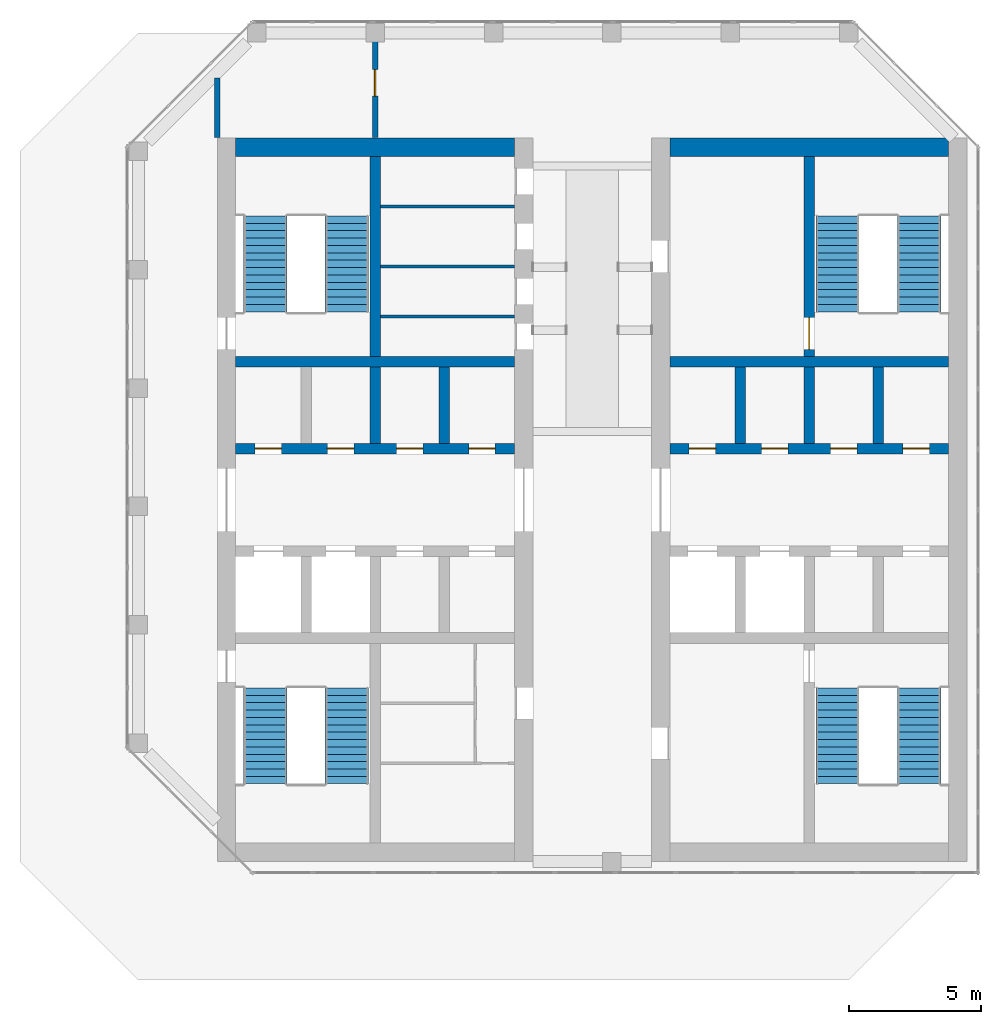
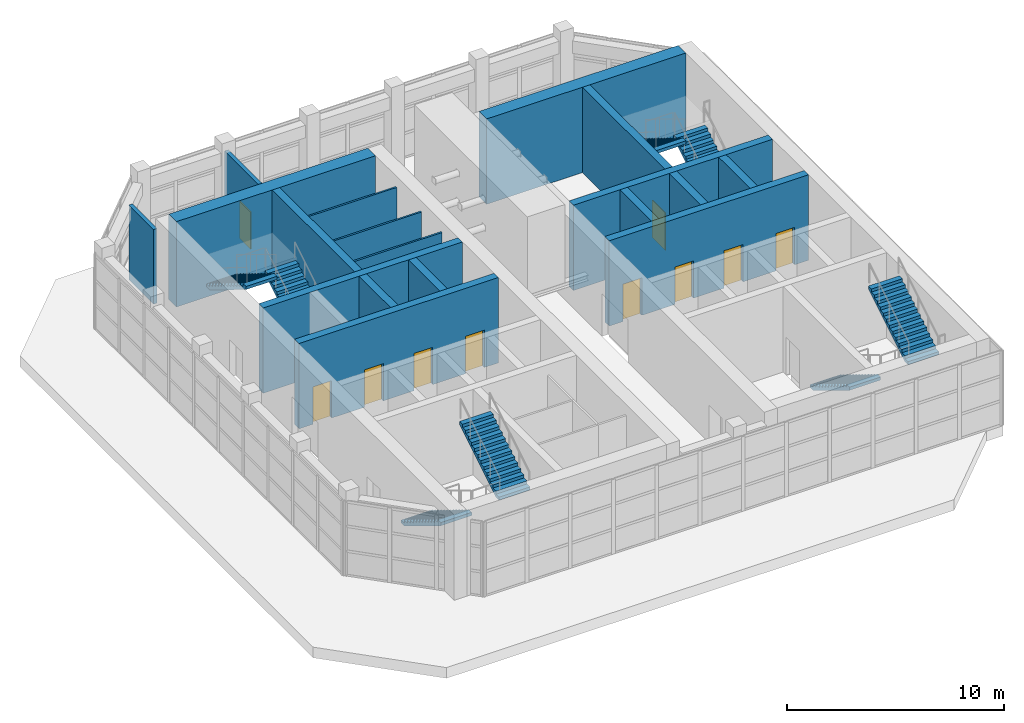
# One storey, part 11 of 13: 18 walls, 10 doors, 8 stair flights, 10 openings, 4 elements without a shape of their own.
"""IFC4 building model written with IfcOpenShell, lengths in metres."""

import ifcopenshell
import ifcopenshell.guid

model = None  # the IFC model being written
_history = None  # IfcOwnerHistory: only IFC2X3 demands one
_inside = {}  # id of a spatial element -> (the spatial element, [elements in it])
_under = {}  # id of a project, library or spatial element -> (it, [spatial elements below it])
_declared = {}  # id of a project -> (the project, [libraries it declares])
_typed = {}  # id of a type object -> (the type object, [elements of that type])
_made_of = {}  # id of a material, layer set ... -> (it, [elements and type objects made of it])


def new_model(schema):
    """Start an empty IFC model of exactly this schema.

    Asked for "IFC4X3", IfcOpenShell would pick the latest addendum, in which some entities
    have other attributes; the version numbers below select the first issue.
    IFC2X3 requires an IfcOwnerHistory on every rooted entity: one is made here for all.
    """
    global model, _history
    if schema == "IFC4X3":
        model = ifcopenshell.file(schema_version=(4, 3, 0, 0))
    else:
        model = ifcopenshell.file(schema=schema)
    _inside.clear()
    _under.clear()
    _declared.clear()
    _typed.clear()
    _made_of.clear()
    _history = None
    if model.schema == "IFC2X3":
        org = make("IfcOrganization", Name="unknown")
        user = make(
            "IfcPersonAndOrganization",
            ThePerson=make("IfcPerson", FamilyName="unknown"),
            TheOrganization=org,
        )
        app = make(
            "IfcApplication",
            ApplicationDeveloper=org,
            Version="unknown",
            ApplicationFullName="unknown",
            ApplicationIdentifier="unknown",
        )
        _history = make(
            "IfcOwnerHistory",
            OwningUser=user,
            OwningApplication=app,
            ChangeAction="ADDED",
            CreationDate=0,
        )
    return model


def make(cls, **values):
    """One entity of the class cls with the attributes given. An attribute that is None is left unset."""
    return model.create_entity(
        cls, **{name: value for name, value in values.items() if value is not None}
    )


def rooted(cls, **values):
    """An entity with a GlobalId (a new one), such as an element, a storey or a relation."""
    return make(cls, GlobalId=ifcopenshell.guid.new(), OwnerHistory=_history, **values)


def si_unit(unit_type, name, prefix=None):
    """IfcSIUnit, for example si_unit("LENGTHUNIT", "METRE", prefix="MILLI")."""
    return make("IfcSIUnit", UnitType=unit_type, Prefix=prefix, Name=name)


def assignment(units):
    """IfcUnitAssignment: the units of a project."""
    return None if units is None else make("IfcUnitAssignment", Units=units)


def point(xyz):
    """IfcCartesianPoint."""
    return None if xyz is None else make("IfcCartesianPoint", Coordinates=xyz)


def direction(xyz):
    """IfcDirection."""
    return None if xyz is None else make("IfcDirection", DirectionRatios=xyz)


def frame(location, z_axis=None, x_axis=None):
    """IfcAxis2Placement3D, a coordinate frame: its origin and axes. An axis left out is left unset."""
    return make(
        "IfcAxis2Placement3D",
        Location=point(location),
        Axis=direction(z_axis),
        RefDirection=direction(x_axis),
    )


def frame_2d(location, x_axis=None):
    """IfcAxis2Placement2D, a coordinate frame in the plane: its origin and x axis."""
    return make(
        "IfcAxis2Placement2D", Location=point(location), RefDirection=direction(x_axis)
    )


def origin():
    """The frame at (0, 0, 0) with its axes left unset."""
    return frame((0.0, 0.0, 0.0))


def place(relative_to, where):
    """IfcLocalPlacement: puts the frame where relative to a parent placement (None: the world)."""
    return make(
        "IfcLocalPlacement", PlacementRelTo=relative_to, RelativePlacement=where
    )


def context(
    kind, dimensions, precision=None, world=None, true_north=None, identifier=None
):
    """IfcGeometricRepresentationContext, for example the 3D "Model" context."""
    return make(
        "IfcGeometricRepresentationContext",
        ContextIdentifier=identifier,
        ContextType=kind,
        CoordinateSpaceDimension=dimensions,
        Precision=precision,
        WorldCoordinateSystem=world,
        TrueNorth=true_north,
    )


def subcontext(parent, identifier, kind, view, scale=None):
    """IfcGeometricRepresentationSubContext, for example "Body" below "Model"."""
    return make(
        "IfcGeometricRepresentationSubContext",
        ContextIdentifier=identifier,
        ContextType=kind,
        ParentContext=parent,
        TargetScale=scale,
        TargetView=view,
    )


def project(units=None, contexts=None):
    """IfcProject with its units and contexts."""
    return rooted(
        "IfcProject",
        Name="project",
        RepresentationContexts=contexts,
        UnitsInContext=assignment(units),
    )


def spatial(cls, under=None, at=None, **own):
    """A site, building, storey or space (cls), placed at a placement, below another one or the project."""
    s = rooted(cls, ObjectPlacement=at, **own)
    if under is not None:
        _under.setdefault(under.id(), (under, []))[1].append(s)
    return s


def polyline(points):
    """IfcPolyline through the points."""
    return make("IfcPolyline", Points=[point(p) for p in points])


def profile(cls, at=None, kind="AREA", **sizes):
    """A parametric profile (cls). Its sizes go by their IFC names, for example OverallWidth=200.0."""
    return make(cls, ProfileType=kind, Position=at, **sizes)


def rectangle(**sizes):
    """IfcRectangleProfileDef."""
    return profile("IfcRectangleProfileDef", **sizes)


def outline(outer, holes=None, kind="AREA"):
    """IfcArbitraryClosedProfileDef: a profile drawn as a closed curve; with holes, ...WithVoids."""
    if holes is None:
        return make("IfcArbitraryClosedProfileDef", ProfileType=kind, OuterCurve=outer)
    return make(
        "IfcArbitraryProfileDefWithVoids",
        ProfileType=kind,
        OuterCurve=outer,
        InnerCurves=holes,
    )


def extrude(swept, where, along, depth):
    """IfcExtrudedAreaSolid: the profile swept, set in the frame where, extruded along a direction by depth."""
    return make(
        "IfcExtrudedAreaSolid",
        SweptArea=swept,
        Position=where,
        ExtrudedDirection=direction(along),
        Depth=depth,
    )


def shape(context_of_items, identifier, shape_type, items):
    """IfcShapeRepresentation: the items that make up one representation, for example the "Body"."""
    return make(
        "IfcShapeRepresentation",
        ContextOfItems=context_of_items,
        RepresentationIdentifier=identifier,
        RepresentationType=shape_type,
        Items=items,
    )


def material(Name=None, Category=None):
    """IfcMaterial."""
    return make("IfcMaterial", Name=Name, Category=Category)


def layer(
    of_material, thickness, ventilated=None, Name=None, Category=None, Priority=None
):
    """IfcMaterialLayer: one layer of a wall or slab, of a material (None: an air gap)."""
    return make(
        "IfcMaterialLayer",
        Material=of_material,
        LayerThickness=thickness,
        IsVentilated=ventilated,
        Name=Name,
        Category=Category,
        Priority=Priority,
    )


def layer_set(layers, Name=None):
    """IfcMaterialLayerSet."""
    return make("IfcMaterialLayerSet", MaterialLayers=layers, LayerSetName=Name)


def made_of(thing, what):
    """Note that an element or type object is made of a material, layer set ...; save() writes the relation."""
    if what is not None:
        _made_of.setdefault(what.id(), (what, []))[1].append(thing)
    return thing


def type_object(cls, material=None, **own):
    """A type object (cls), such as IfcWallType, which elements share."""
    return made_of(rooted(cls, **own), material)


def element(
    cls,
    number,
    at=None,
    inside=None,
    cuts=None,
    type_object=None,
    material=None,
    context=None,
    identifier="Body",
    shape_type=None,
    held_by="IfcProductDefinitionShape",
    body=None,
    shapes=None,
    **own,
):
    """One element of the class cls, such as IfcWall. Its Tag is "e" and its number.

    at: its placement. inside: the storey or other place that contains it. cuts: it is an
    opening in that element (IfcRelVoidsElement). A single representation is given by context,
    identifier, shape_type and body (its items); several are given by shapes. held_by: the class
    of the entity that holds the representations. save() writes the other relations.
    """
    e = rooted(cls, Tag="e%d" % number, ObjectPlacement=at, **own)
    if body is not None:
        shapes = [shape(context, identifier, shape_type, body)]
    if shapes is not None:
        e.Representation = make(held_by, Representations=shapes)
    if inside is not None:
        _inside.setdefault(inside.id(), (inside, []))[1].append(e)
    if cuts is not None:
        rooted(
            "IfcRelVoidsElement", RelatingBuildingElement=cuts, RelatedOpeningElement=e
        )
    if type_object is not None:
        _typed.setdefault(type_object.id(), (type_object, []))[1].append(e)
    return made_of(e, material)


def fill(opening, filler):
    """IfcRelFillsElement: the door or window that sits in an opening."""
    return rooted(
        "IfcRelFillsElement",
        RelatingOpeningElement=opening,
        RelatedBuildingElement=filler,
    )


def aggregate(whole, parts):
    """IfcRelAggregates: a whole, such as a stair, and the parts it consists of."""
    return rooted("IfcRelAggregates", RelatingObject=whole, RelatedObjects=parts)


def save(model, path):
    """Write the relations noted so far, then the file.

    IfcRelAggregates (storeys below a building ...), IfcRelContainedInSpatialStructure (elements
    in a storey), IfcRelDefinesByType, IfcRelAssociatesMaterial and IfcRelDeclares: one each for
    every whole, place, type object, material and project.
    """
    for whole, parts in _under.values():
        aggregate(whole, parts)
    for where, things in _inside.values():
        rooted(
            "IfcRelContainedInSpatialStructure",
            RelatedElements=things,
            RelatingStructure=where,
        )
    for kind, things in _typed.values():
        rooted("IfcRelDefinesByType", RelatedObjects=things, RelatingType=kind)
    for what, things in _made_of.values():
        rooted("IfcRelAssociatesMaterial", RelatedObjects=things, RelatingMaterial=what)
    for by, libraries in _declared.values():
        rooted("IfcRelDeclares", RelatingContext=by, RelatedDefinitions=libraries)
    model.write(path)


model = new_model("IFC4")

# Units and contexts
model_context = context("Model", 3, precision=1e-05, world=origin(), true_north=direction((0.0, 1.0)))
body_context = subcontext(model_context, "Body", "Model", "MODEL_VIEW")
ifc_project = project(units=[si_unit("LENGTHUNIT", "METRE"), si_unit("AREAUNIT", "SQUARE_METRE"), si_unit("VOLUMEUNIT", "CUBIC_METRE"), si_unit("PLANEANGLEUNIT", "RADIAN"), si_unit("MASSUNIT", "GRAM", prefix="KILO")], contexts=[model_context])

# Site, building, storey
site_placement = place(None, origin())
site = spatial("IfcSite", under=ifc_project, at=site_placement, CompositionType="ELEMENT")
building_placement = place(site_placement, origin())
building = spatial("IfcBuilding", under=site, at=building_placement, Name="Corbel Stack Research Tower", CompositionType="ELEMENT")
storey_placement = place(building_placement, frame((0.0, 0.0, 311.800048828125)))
storey = spatial("IfcBuildingStorey", under=building, at=storey_placement, Name="L70", CompositionType="ELEMENT", Elevation=311.800048828125)

# Wall
ifc_material_1 = material(Name="Concrete blockwork C20/25", Category="masonry")
ifc_layer_1 = layer(ifc_material_1, 0.199951171875)
ifc_layer_set_1 = layer_set([ifc_layer_1], Name="Concrete blockwork C20/25")
wall_type_1 = type_object("IfcWallType", Name="Blockwork partition 200", PredefinedType="PARTITIONING", material=ifc_layer_set_1)
wall_1_placement = place(storey_placement, frame((-10.5, 18.52001953125, 0.0), z_axis=(0.0, 0.0, 1.0), x_axis=(0.0, 1.0, 0.0)))
element("IfcWall", 1, at=wall_1_placement, inside=storey, type_object=wall_type_1, Name="Partition L70-01", PredefinedType="PARTITIONING", context=body_context, shape_type="SweptSolid", body=[
    extrude(rectangle(XDim=2.27490234375, YDim=0.199951171875, at=frame_2d((1.137451171875, 0.0))), origin(), (0.0, 0.0, 1.0), 4.199951171875),
])

# Wall, opening, door
wall_2_placement = place(storey_placement, frame((-4.5, 22.35498046875, 0.0), z_axis=(0.0, 0.0, 1.0), x_axis=(0.0, -1.0, 0.0)))
wall_2 = element("IfcWall", 2, at=wall_2_placement, inside=storey, type_object=wall_type_1, Name="Partition L70-02", PredefinedType="PARTITIONING", context=body_context, shape_type="SweptSolid", body=[
    extrude(rectangle(XDim=3.8349609375, YDim=0.199951171875, at=frame_2d((1.91748046875, 0.0))), origin(), (0.0, 0.0, 1.0), 4.199951171875),
])
opening_1_placement = place(wall_2_placement, frame((1.2548828125, 0.0, 0.0)))
opening_1 = element("IfcOpeningElement", 3, at=opening_1_placement, cuts=wall_2, Name="Opening D70-01", PredefinedType="OPENING", context=body_context, shape_type="SweptSolid", body=[
    extrude(rectangle(XDim=1.0, YDim=2.10009765625, at=frame_2d((0.5, 1.050048828125))), frame((0.0, 0.10986328125, 0.0), z_axis=(0.0, -1.0, 0.0), x_axis=(1.0, 0.0, 0.0)), (0.0, 0.0, 1.0), 0.219970703125),
])
ifc_material_2 = material(Name="Steel, painted", Category="steel")
door_type_1 = type_object("IfcDoorType", Name="Steel door 1000 x 2100 FD60", OperationType="SINGLE_SWING_LEFT", PredefinedType="DOOR", material=ifc_material_2)
door_1_placement = place(opening_1_placement, origin())
door_1 = element("IfcDoor", 4, at=door_1_placement, inside=storey, type_object=door_type_1, Name="Damper control room door", OperationType="SINGLE_SWING_LEFT", OverallHeight=2.10009765625, OverallWidth=1.0, PredefinedType="DOOR", context=body_context, shape_type="SweptSolid", body=[
    extrude(rectangle(XDim=1.0, YDim=2.10009765625, at=frame_2d((0.5, 1.050048828125))), frame((0.0, 0.02490234375, 0.0), z_axis=(0.0, -1.0, 0.0), x_axis=(1.0, 0.0, 0.0)), (0.0, 0.0, 1.0), 0.050048828125),
])
fill(opening_1, door_1)

# Wall, openings, doors
ifc_material_3 = material(Name="Concrete C60/75", Category="concrete")
ifc_layer_2 = layer(ifc_material_3, 0.39990234375)
ifc_layer_set_2 = layer_set([ifc_layer_2], Name="Concrete C60/75")
wall_type_2 = type_object("IfcWallType", Name="CW-400-60", PredefinedType="SHEAR", material=ifc_layer_set_2)
wall_3_placement = place(storey_placement, frame((-9.800048828125, 6.699951171875, 0.0), z_axis=(0.0, 0.0, 1.0), x_axis=(1.0, 0.0, 0.0)))
wall_3 = element("IfcWall", 5, at=wall_3_placement, inside=storey, type_object=wall_type_2, Name="West core wall, lobby north L70", PredefinedType="SHEAR", context=body_context, shape_type="SweptSolid", body=[
    extrude(rectangle(XDim=10.60009765625, YDim=0.39990234375, at=frame_2d((5.300048828125, 0.0))), origin(), (0.0, 0.0, 1.0), 4.800048828125),
])
opening_2_placement = place(wall_3_placement, frame((0.737548828125, 0.0, 0.0)))
opening_2 = element("IfcOpeningElement", 6, at=opening_2_placement, cuts=wall_3, Name="Opening CR-W66-N1", PredefinedType="OPENING", context=body_context, shape_type="SweptSolid", body=[
    extrude(rectangle(XDim=1.0, YDim=2.10009765625, at=frame_2d((0.5, 1.050048828125))), frame((0.0, 0.2099609375, 0.0), z_axis=(0.0, -1.0, 0.0), x_axis=(1.0, 0.0, 0.0)), (0.0, 0.0, 1.0), 0.419921875),
])
opening_3_placement = place(wall_3_placement, frame((3.487548828125, 0.0, 0.0)))
opening_3 = element("IfcOpeningElement", 7, at=opening_3_placement, cuts=wall_3, Name="Opening CR-W66-N2", PredefinedType="OPENING", context=body_context, shape_type="SweptSolid", body=[
    extrude(rectangle(XDim=1.0, YDim=2.10009765625, at=frame_2d((0.5, 1.050048828125))), frame((0.0, 0.2099609375, 0.0), z_axis=(0.0, -1.0, 0.0), x_axis=(1.0, 0.0, 0.0)), (0.0, 0.0, 1.0), 0.419921875),
])
opening_4_placement = place(wall_3_placement, frame((6.112548828125, 0.0, 0.0)))
opening_4 = element("IfcOpeningElement", 8, at=opening_4_placement, cuts=wall_3, Name="Opening CR-W66-N3", PredefinedType="OPENING", context=body_context, shape_type="SweptSolid", body=[
    extrude(rectangle(XDim=1.0, YDim=2.10009765625, at=frame_2d((0.5, 1.050048828125))), frame((0.0, 0.2099609375, 0.0), z_axis=(0.0, -1.0, 0.0), x_axis=(1.0, 0.0, 0.0)), (0.0, 0.0, 1.0), 0.419921875),
])
opening_5_placement = place(wall_3_placement, frame((8.862548828125, 0.0, 0.0)))
opening_5 = element("IfcOpeningElement", 9, at=opening_5_placement, cuts=wall_3, Name="Opening CR-W66-N4", PredefinedType="OPENING", context=body_context, shape_type="SweptSolid", body=[
    extrude(rectangle(XDim=1.0, YDim=2.10009765625, at=frame_2d((0.5, 1.050048828125))), frame((0.0, 0.2099609375, 0.0), z_axis=(0.0, -1.0, 0.0), x_axis=(1.0, 0.0, 0.0)), (0.0, 0.0, 1.0), 0.419921875),
])
ifc_material_4 = material(Name="Painted steel door", Category="steel")
door_type_2 = type_object("IfcDoorType", Name="Service door 1000 x 2100 FD60 left hand", OperationType="SINGLE_SWING_LEFT", PredefinedType="DOOR", material=ifc_material_4)
door_2_placement = place(opening_2_placement, origin())
door_2 = element("IfcDoor", 10, at=door_2_placement, inside=storey, type_object=door_type_2, Name="Mechanical room door W core", OperationType="SINGLE_SWING_LEFT", OverallHeight=2.10009765625, OverallWidth=1.0, PredefinedType="DOOR", context=body_context, shape_type="SweptSolid", body=[
    extrude(rectangle(XDim=1.0, YDim=2.10009765625, at=frame_2d((0.5, 1.050048828125))), frame((0.0, 0.02490234375, 0.0), z_axis=(0.0, -1.0, 0.0), x_axis=(1.0, 0.0, 0.0)), (0.0, 0.0, 1.0), 0.050048828125),
])
fill(opening_2, door_2)
door_3_placement = place(opening_4_placement, origin())
door_3 = element("IfcDoor", 11, at=door_3_placement, inside=storey, type_object=door_type_2, Name="Electrical room door W core", OperationType="SINGLE_SWING_LEFT", OverallHeight=2.10009765625, OverallWidth=1.0, PredefinedType="DOOR", context=body_context, shape_type="SweptSolid", body=[
    extrude(rectangle(XDim=1.0, YDim=2.10009765625, at=frame_2d((0.5, 1.050048828125))), frame((0.0, 0.02490234375, 0.0), z_axis=(0.0, -1.0, 0.0), x_axis=(1.0, 0.0, 0.0)), (0.0, 0.0, 1.0), 0.050048828125),
])
fill(opening_4, door_3)
ifc_material_5 = material(Name="Painted steel door", Category="steel")
door_type_3 = type_object("IfcDoorType", Name="Service door 1000 x 2100 FD60 right hand", OperationType="SINGLE_SWING_RIGHT", PredefinedType="DOOR", material=ifc_material_5)
door_4_placement = place(opening_3_placement, origin())
door_4 = element("IfcDoor", 12, at=door_4_placement, inside=storey, type_object=door_type_3, Name="Electrical room door W core", OperationType="SINGLE_SWING_RIGHT", OverallHeight=2.10009765625, OverallWidth=1.0, PredefinedType="DOOR", context=body_context, shape_type="SweptSolid", body=[
    extrude(rectangle(XDim=1.0, YDim=2.10009765625, at=frame_2d((0.5, 1.050048828125))), frame((0.0, 0.02490234375, 0.0), z_axis=(0.0, -1.0, 0.0), x_axis=(1.0, 0.0, 0.0)), (0.0, 0.0, 1.0), 0.050048828125),
])
fill(opening_3, door_4)
door_5_placement = place(opening_5_placement, origin())
door_5 = element("IfcDoor", 13, at=door_5_placement, inside=storey, type_object=door_type_3, Name="Electrical room door W core", OperationType="SINGLE_SWING_RIGHT", OverallHeight=2.10009765625, OverallWidth=1.0, PredefinedType="DOOR", context=body_context, shape_type="SweptSolid", body=[
    extrude(rectangle(XDim=1.0, YDim=2.10009765625, at=frame_2d((0.5, 1.050048828125))), frame((0.0, 0.02490234375, 0.0), z_axis=(0.0, -1.0, 0.0), x_axis=(1.0, 0.0, 0.0)), (0.0, 0.0, 1.0), 0.050048828125),
])
fill(opening_5, door_5)

# Walls
wall_4_placement = place(storey_placement, frame((-9.800048828125, 10.0, 0.0), z_axis=(0.0, 0.0, 1.0), x_axis=(1.0, 0.0, 0.0)))
element("IfcWall", 14, at=wall_4_placement, inside=storey, type_object=wall_type_2, Name="West core wall, north row back L70", PredefinedType="SHEAR", context=body_context, shape_type="SweptSolid", body=[
    extrude(rectangle(XDim=10.60009765625, YDim=0.39990234375, at=frame_2d((5.300048828125, 0.0))), origin(), (0.0, 0.0, 1.0), 4.800048828125),
])
for number, where, z_axis, x_axis, name in (
    (15, (-4.5, 6.89990234375, 0.0), (0.0, 0.0, 1.0), (0.0, 1.0, 0.0), "West core wall, north shaft 2 L70"),
    (16, (-1.875, 6.89990234375, 0.0), (0.0, 0.0, 1.0), (0.0, 1.0, 0.0), "West core wall, north shaft 3 L70"),
):
    element("IfcWall", number, at=place(storey_placement, frame(where, z_axis=z_axis, x_axis=x_axis)), inside=storey, type_object=wall_type_2, Name=name, PredefinedType="SHEAR", context=body_context, shape_type="SweptSolid", body=[
        extrude(rectangle(XDim=2.900146484375, YDim=0.39990234375, at=frame_2d((1.4501953125, 0.0))), origin(), (0.0, 0.0, 1.0), 4.800048828125),
    ])
wall_5_placement = place(storey_placement, frame((-4.5, 10.199951171875, 0.0), z_axis=(0.0, 0.0, 1.0), x_axis=(0.0, 1.0, 0.0)))
element("IfcWall", 17, at=wall_5_placement, inside=storey, type_object=wall_type_2, Name="West core wall, north stair and riser L70", PredefinedType="SHEAR", context=body_context, shape_type="SweptSolid", body=[
    extrude(rectangle(XDim=7.60009765625, YDim=0.39990234375, at=frame_2d((3.800048828125, 0.0))), origin(), (0.0, 0.0, 1.0), 4.800048828125),
])

# Wall, openings, doors
wall_6_placement = place(storey_placement, frame((6.699951171875, 6.699951171875, 0.0), z_axis=(0.0, 0.0, 1.0), x_axis=(1.0, 0.0, 0.0)))
wall_6 = element("IfcWall", 18, at=wall_6_placement, inside=storey, type_object=wall_type_2, Name="East core wall, lobby north L70", PredefinedType="SHEAR", context=body_context, shape_type="SweptSolid", body=[
    extrude(rectangle(XDim=10.60009765625, YDim=0.39990234375, at=frame_2d((5.300048828125, 0.0))), origin(), (0.0, 0.0, 1.0), 4.800048828125),
])
opening_6_placement = place(wall_6_placement, frame((0.737548828125, 0.0, 0.0)))
opening_6 = element("IfcOpeningElement", 19, at=opening_6_placement, cuts=wall_6, Name="Opening CR-E66v-N1", PredefinedType="OPENING", context=body_context, shape_type="SweptSolid", body=[
    extrude(rectangle(XDim=1.0, YDim=2.10009765625, at=frame_2d((0.5, 1.050048828125))), frame((0.0, 0.2099609375, 0.0), z_axis=(0.0, -1.0, 0.0), x_axis=(1.0, 0.0, 0.0)), (0.0, 0.0, 1.0), 0.419921875),
])
opening_7_placement = place(wall_6_placement, frame((3.487548828125, 0.0, 0.0)))
opening_7 = element("IfcOpeningElement", 20, at=opening_7_placement, cuts=wall_6, Name="Opening CR-E66v-N2", PredefinedType="OPENING", context=body_context, shape_type="SweptSolid", body=[
    extrude(rectangle(XDim=1.0, YDim=2.10009765625, at=frame_2d((0.5, 1.050048828125))), frame((0.0, 0.2099609375, 0.0), z_axis=(0.0, -1.0, 0.0), x_axis=(1.0, 0.0, 0.0)), (0.0, 0.0, 1.0), 0.419921875),
])
opening_8_placement = place(wall_6_placement, frame((6.112548828125, 0.0, 0.0)))
opening_8 = element("IfcOpeningElement", 21, at=opening_8_placement, cuts=wall_6, Name="Opening CR-E66v-N3", PredefinedType="OPENING", context=body_context, shape_type="SweptSolid", body=[
    extrude(rectangle(XDim=1.0, YDim=2.10009765625, at=frame_2d((0.5, 1.050048828125))), frame((0.0, 0.2099609375, 0.0), z_axis=(0.0, -1.0, 0.0), x_axis=(1.0, 0.0, 0.0)), (0.0, 0.0, 1.0), 0.419921875),
])
opening_9_placement = place(wall_6_placement, frame((8.862548828125, 0.0, 0.0)))
opening_9 = element("IfcOpeningElement", 22, at=opening_9_placement, cuts=wall_6, Name="Opening CR-E66v-N4", PredefinedType="OPENING", context=body_context, shape_type="SweptSolid", body=[
    extrude(rectangle(XDim=1.0, YDim=2.10009765625, at=frame_2d((0.5, 1.050048828125))), frame((0.0, 0.2099609375, 0.0), z_axis=(0.0, -1.0, 0.0), x_axis=(1.0, 0.0, 0.0)), (0.0, 0.0, 1.0), 0.419921875),
])
door_6_placement = place(opening_6_placement, origin())
door_6 = element("IfcDoor", 23, at=door_6_placement, inside=storey, type_object=door_type_2, Name="Telecom room door E core", OperationType="SINGLE_SWING_LEFT", OverallHeight=2.10009765625, OverallWidth=1.0, PredefinedType="DOOR", context=body_context, shape_type="SweptSolid", body=[
    extrude(rectangle(XDim=1.0, YDim=2.10009765625, at=frame_2d((0.5, 1.050048828125))), frame((0.0, 0.02490234375, 0.0), z_axis=(0.0, -1.0, 0.0), x_axis=(1.0, 0.0, 0.0)), (0.0, 0.0, 1.0), 0.050048828125),
])
fill(opening_6, door_6)
door_7_placement = place(opening_8_placement, origin())
door_7 = element("IfcDoor", 24, at=door_7_placement, inside=storey, type_object=door_type_2, Name="Mechanical room door E core", OperationType="SINGLE_SWING_LEFT", OverallHeight=2.10009765625, OverallWidth=1.0, PredefinedType="DOOR", context=body_context, shape_type="SweptSolid", body=[
    extrude(rectangle(XDim=1.0, YDim=2.10009765625, at=frame_2d((0.5, 1.050048828125))), frame((0.0, 0.02490234375, 0.0), z_axis=(0.0, -1.0, 0.0), x_axis=(1.0, 0.0, 0.0)), (0.0, 0.0, 1.0), 0.050048828125),
])
fill(opening_8, door_7)
door_8_placement = place(opening_7_placement, origin())
door_8 = element("IfcDoor", 25, at=door_8_placement, inside=storey, type_object=door_type_3, Name="Mechanical room door E core", OperationType="SINGLE_SWING_RIGHT", OverallHeight=2.10009765625, OverallWidth=1.0, PredefinedType="DOOR", context=body_context, shape_type="SweptSolid", body=[
    extrude(rectangle(XDim=1.0, YDim=2.10009765625, at=frame_2d((0.5, 1.050048828125))), frame((0.0, 0.02490234375, 0.0), z_axis=(0.0, -1.0, 0.0), x_axis=(1.0, 0.0, 0.0)), (0.0, 0.0, 1.0), 0.050048828125),
])
fill(opening_7, door_8)
door_9_placement = place(opening_9_placement, origin())
door_9 = element("IfcDoor", 26, at=door_9_placement, inside=storey, type_object=door_type_3, Name="Mechanical room door E core", OperationType="SINGLE_SWING_RIGHT", OverallHeight=2.10009765625, OverallWidth=1.0, PredefinedType="DOOR", context=body_context, shape_type="SweptSolid", body=[
    extrude(rectangle(XDim=1.0, YDim=2.10009765625, at=frame_2d((0.5, 1.050048828125))), frame((0.0, 0.02490234375, 0.0), z_axis=(0.0, -1.0, 0.0), x_axis=(1.0, 0.0, 0.0)), (0.0, 0.0, 1.0), 0.050048828125),
])
fill(opening_9, door_9)

# Walls
wall_7_placement = place(storey_placement, frame((6.699951171875, 10.0, 0.0), z_axis=(0.0, 0.0, 1.0), x_axis=(1.0, 0.0, 0.0)))
element("IfcWall", 27, at=wall_7_placement, inside=storey, type_object=wall_type_2, Name="East core wall, north row back L70", PredefinedType="SHEAR", context=body_context, shape_type="SweptSolid", body=[
    extrude(rectangle(XDim=10.60009765625, YDim=0.39990234375, at=frame_2d((5.300048828125, 0.0))), origin(), (0.0, 0.0, 1.0), 4.800048828125),
])
for number, where, z_axis, x_axis, name in (
    (28, (9.375, 6.89990234375, 0.0), (0.0, 0.0, 1.0), (0.0, 1.0, 0.0), "East core wall, north shaft 1 L70"),
    (29, (12.0, 6.89990234375, 0.0), (0.0, 0.0, 1.0), (0.0, 1.0, 0.0), "East core wall, north shaft 2 L70"),
    (30, (14.625, 6.89990234375, 0.0), (0.0, 0.0, 1.0), (0.0, 1.0, 0.0), "East core wall, north shaft 3 L70"),
):
    element("IfcWall", number, at=place(storey_placement, frame(where, z_axis=z_axis, x_axis=x_axis)), inside=storey, type_object=wall_type_2, Name=name, PredefinedType="SHEAR", context=body_context, shape_type="SweptSolid", body=[
        extrude(rectangle(XDim=2.900146484375, YDim=0.39990234375, at=frame_2d((1.4501953125, 0.0))), origin(), (0.0, 0.0, 1.0), 4.800048828125),
    ])

# Wall, opening, door
wall_8_placement = place(storey_placement, frame((12.0, 10.199951171875, 0.0), z_axis=(0.0, 0.0, 1.0), x_axis=(0.0, 1.0, 0.0)))
wall_8 = element("IfcWall", 31, at=wall_8_placement, inside=storey, type_object=wall_type_2, Name="East core wall, north stair and riser L70", PredefinedType="SHEAR", context=body_context, shape_type="SweptSolid", body=[
    extrude(rectangle(XDim=7.60009765625, YDim=0.39990234375, at=frame_2d((3.800048828125, 0.0))), origin(), (0.0, 0.0, 1.0), 4.800048828125),
])
opening_10_placement = place(wall_8_placement, frame((0.27490234375, 0.0, 0.0)))
opening_10 = element("IfcOpeningElement", 32, at=opening_10_placement, cuts=wall_8, Name="Opening SD-ST-E2", PredefinedType="OPENING", context=body_context, shape_type="SweptSolid", body=[
    extrude(rectangle(XDim=1.199951171875, YDim=2.10009765625, at=frame_2d((0.60009765625, 1.050048828125))), frame((0.0, 0.2099609375, 0.0), z_axis=(0.0, -1.0, 0.0), x_axis=(1.0, 0.0, 0.0)), (0.0, 0.0, 1.0), 0.419921875),
])
ifc_material_6 = material(Name="Painted steel fire door", Category="steel")
door_type_4 = type_object("IfcDoorType", Name="Stair door 1200 x 2100 FD90 right hand", OperationType="SINGLE_SWING_RIGHT", PredefinedType="DOOR", material=ifc_material_6)
door_10_placement = place(opening_10_placement, origin())
door_10 = element("IfcDoor", 33, at=door_10_placement, inside=storey, type_object=door_type_4, Name="Stair door ST-E2", OperationType="SINGLE_SWING_RIGHT", OverallHeight=2.10009765625, OverallWidth=1.199951171875, PredefinedType="DOOR", context=body_context, shape_type="SweptSolid", body=[
    extrude(rectangle(XDim=1.199951171875, YDim=2.10009765625, at=frame_2d((0.60009765625, 1.050048828125))), frame((0.0, 0.02490234375, 0.0), z_axis=(0.0, -1.0, 0.0), x_axis=(1.0, 0.0, 0.0)), (0.0, 0.0, 1.0), 0.050048828125),
])
fill(opening_10, door_10)

# Walls
ifc_material_7 = material(Name="Concrete C60/75", Category="concrete")
ifc_layer_3 = layer(ifc_material_7, 0.699951171875)
ifc_layer_set_3 = layer_set([ifc_layer_3], Name="Concrete C60/75")
wall_type_3 = type_object("IfcWallType", Name="CW-700-60", PredefinedType="SHEAR", material=ifc_layer_set_3)
for number, where, z_axis, x_axis, name in (
    (34, (-9.800048828125, 18.14990234375, 0.0), (0.0, 0.0, 1.0), (1.0, 0.0, 0.0), "West core wall, north end L70"),
    (35, (6.699951171875, 18.14990234375, 0.0), (0.0, 0.0, 1.0), (1.0, 0.0, 0.0), "East core wall, north end L70"),
):
    element("IfcWall", number, at=place(storey_placement, frame(where, z_axis=z_axis, x_axis=x_axis)), inside=storey, type_object=wall_type_3, Name=name, PredefinedType="SHEAR", context=body_context, shape_type="SweptSolid", body=[
        extrude(rectangle(XDim=10.60009765625, YDim=0.699951171875, at=frame_2d((5.300048828125, 0.0))), origin(), (0.0, 0.0, 1.0), 4.800048828125),
    ])
ifc_material_8 = material(Name="Gypsum board")
ifc_layer_4 = layer(ifc_material_8, 0.10009765625)
ifc_layer_set_4 = layer_set([ifc_layer_4], Name="Gypsum board")
wall_type_4 = type_object("IfcWallType", Name="Core partition 100", PredefinedType="PARTITIONING", material=ifc_layer_set_4)
for number, where, z_axis, x_axis, name in (
    (36, (-4.300048828125, 11.719970703125, 0.0), (0.0, 0.0, 1.0), (1.0, 0.0, 0.0), "Core partition W"),
    (37, (-4.300048828125, 13.6201171875, 0.0), (0.0, 0.0, 1.0), (1.0, 0.0, 0.0), "Core partition W"),
    (38, (-4.300048828125, 15.89990234375, 0.0), (0.0, 0.0, 1.0), (1.0, 0.0, 0.0), "Core partition W"),
):
    element("IfcWall", number, at=place(storey_placement, frame(where, z_axis=z_axis, x_axis=x_axis)), inside=storey, type_object=wall_type_4, Name=name, PredefinedType="PARTITIONING", context=body_context, shape_type="SweptSolid", body=[
        extrude(rectangle(XDim=5.10009765625, YDim=0.10009765625, at=frame_2d((2.550048828125, 0.0))), origin(), (0.0, 0.0, 1.0), 4.199951171875),
    ])

# Stair, stair flights
ifc_material_9 = material(Name="Concrete C40/50", Category="concrete")
stair_type = type_object("IfcStairType", Name="Exit stair 28 risers", PredefinedType="HALF_TURN_STAIR", material=ifc_material_9)
stair_1_placement = place(storey_placement, origin())
stair_1 = element("IfcStair", 39, at=stair_1_placement, inside=storey, type_object=stair_type, Name="L70 Exit stair ST-W1", PredefinedType="HALF_TURN_STAIR")
ifc_material_10 = material(Name="Concrete C40/50", Category="concrete")
stair_flight_type = type_object("IfcStairFlightType", Name="Stair flight 14 risers", PredefinedType="STRAIGHT", material=ifc_material_10)
stair_flight_1_placement = place(storey_placement, frame((-8.675048828125, -2.39990234375, 0.0), z_axis=(0.0, 0.0, 1.0), x_axis=(0.0, -1.0, 0.0)))
stair_flight_1 = element("IfcStairFlight", 40, at=stair_flight_1_placement, type_object=stair_flight_type, Name="ST-W1 flight 1", NumberOfRisers=14, NumberOfTreads=13, PredefinedType="STRAIGHT", RiserHeight=0.171428571, TreadLength=0.28, context=body_context, shape_type="SweptSolid", body=[
    extrude(outline(polyline([(0.0, 0.0), (0.0, 0.17138671875), (0.280029296875, 0.17138671875), (0.280029296875, 0.3427734375), (0.56005859375, 0.3427734375), (0.56005859375, 0.514404296875), (0.840087890625, 0.514404296875), (0.840087890625, 0.685791015625), (1.1201171875, 0.685791015625), (1.1201171875, 0.857177734375), (1.39990234375, 0.857177734375), (1.39990234375, 1.028564453125), (1.679931640625, 1.028564453125), (1.679931640625, 1.199951171875), (1.9599609375, 1.199951171875), (1.9599609375, 1.371337890625), (2.239990234375, 1.371337890625), (2.239990234375, 1.54296875), (2.52001953125, 1.54296875), (2.52001953125, 1.71435546875), (2.800048828125, 1.71435546875), (2.800048828125, 1.8857421875), (3.080078125, 1.8857421875), (3.080078125, 2.05712890625), (3.360107421875, 2.05712890625), (3.360107421875, 2.228515625), (3.639892578125, 2.228515625), (3.639892578125, 2.39990234375), (3.639892578125, 2.052734375), (0.287109375, 0.0), (0.0, 0.0)])), frame((0.0, 0.824951171875, 0.0), z_axis=(0.0, -1.0, 0.0), x_axis=(1.0, 0.0, 0.0)), (0.0, 0.0, 1.0), 1.64990234375),
])
stair_flight_2_placement = place(storey_placement, frame((-5.574951171875, -6.0400390625, 2.39990234375), z_axis=(0.0, 0.0, 1.0), x_axis=(0.0, 1.0, 0.0)))
stair_flight_2 = element("IfcStairFlight", 41, at=stair_flight_2_placement, type_object=stair_flight_type, Name="ST-W1 flight 2", NumberOfRisers=14, NumberOfTreads=13, PredefinedType="STRAIGHT", RiserHeight=0.171428571, TreadLength=0.28, context=body_context, shape_type="SweptSolid", body=[
    extrude(outline(polyline([(0.0, 0.0), (0.0, 0.17138671875), (0.280029296875, 0.17138671875), (0.280029296875, 0.3427734375), (0.56005859375, 0.3427734375), (0.56005859375, 0.514404296875), (0.840087890625, 0.514404296875), (0.840087890625, 0.685791015625), (1.1201171875, 0.685791015625), (1.1201171875, 0.857177734375), (1.39990234375, 0.857177734375), (1.39990234375, 1.028564453125), (1.679931640625, 1.028564453125), (1.679931640625, 1.199951171875), (1.9599609375, 1.199951171875), (1.9599609375, 1.371337890625), (2.239990234375, 1.371337890625), (2.239990234375, 1.54296875), (2.52001953125, 1.54296875), (2.52001953125, 1.71435546875), (2.800048828125, 1.71435546875), (2.800048828125, 1.8857421875), (3.080078125, 1.8857421875), (3.080078125, 2.05712890625), (3.360107421875, 2.05712890625), (3.360107421875, 2.228515625), (3.639892578125, 2.228515625), (3.639892578125, 2.39990234375), (3.639892578125, 2.052734375), (0.287109375, 0.0), (0.0, 0.0)])), frame((0.0, 0.824951171875, 0.0), z_axis=(0.0, -1.0, 0.0), x_axis=(1.0, 0.0, 0.0)), (0.0, 0.0, 1.0), 1.64990234375),
])
aggregate(stair_1, [stair_flight_1, stair_flight_2])

stair_2_placement = place(storey_placement, origin())
stair_2 = element("IfcStair", 42, at=stair_2_placement, inside=storey, type_object=stair_type, Name="L70 Exit stair ST-W2", PredefinedType="HALF_TURN_STAIR")
stair_flight_3_placement = place(storey_placement, frame((-5.574951171875, 11.89990234375, 0.0), z_axis=(0.0, 0.0, 1.0), x_axis=(0.0, 1.0, 0.0)))
stair_flight_3 = element("IfcStairFlight", 43, at=stair_flight_3_placement, type_object=stair_flight_type, Name="ST-W2 flight 1", NumberOfRisers=14, NumberOfTreads=13, PredefinedType="STRAIGHT", RiserHeight=0.171428571, TreadLength=0.28, context=body_context, shape_type="SweptSolid", body=[
    extrude(outline(polyline([(0.0, 0.0), (0.0, 0.17138671875), (0.280029296875, 0.17138671875), (0.280029296875, 0.3427734375), (0.56005859375, 0.3427734375), (0.56005859375, 0.514404296875), (0.840087890625, 0.514404296875), (0.840087890625, 0.685791015625), (1.1201171875, 0.685791015625), (1.1201171875, 0.857177734375), (1.39990234375, 0.857177734375), (1.39990234375, 1.028564453125), (1.679931640625, 1.028564453125), (1.679931640625, 1.199951171875), (1.9599609375, 1.199951171875), (1.9599609375, 1.371337890625), (2.239990234375, 1.371337890625), (2.239990234375, 1.54296875), (2.52001953125, 1.54296875), (2.52001953125, 1.71435546875), (2.800048828125, 1.71435546875), (2.800048828125, 1.8857421875), (3.080078125, 1.8857421875), (3.080078125, 2.05712890625), (3.360107421875, 2.05712890625), (3.360107421875, 2.228515625), (3.639892578125, 2.228515625), (3.639892578125, 2.39990234375), (3.639892578125, 2.052734375), (0.287109375, 0.0), (0.0, 0.0)])), frame((0.0, 0.824951171875, 0.0), z_axis=(0.0, -1.0, 0.0), x_axis=(1.0, 0.0, 0.0)), (0.0, 0.0, 1.0), 1.64990234375),
])
stair_flight_4_placement = place(storey_placement, frame((-8.675048828125, 15.5400390625, 2.39990234375), z_axis=(0.0, 0.0, 1.0), x_axis=(0.0, -1.0, 0.0)))
stair_flight_4 = element("IfcStairFlight", 44, at=stair_flight_4_placement, type_object=stair_flight_type, Name="ST-W2 flight 2", NumberOfRisers=14, NumberOfTreads=13, PredefinedType="STRAIGHT", RiserHeight=0.171428571, TreadLength=0.28, context=body_context, shape_type="SweptSolid", body=[
    extrude(outline(polyline([(0.0, 0.0), (0.0, 0.17138671875), (0.280029296875, 0.17138671875), (0.280029296875, 0.3427734375), (0.56005859375, 0.3427734375), (0.56005859375, 0.514404296875), (0.840087890625, 0.514404296875), (0.840087890625, 0.685791015625), (1.1201171875, 0.685791015625), (1.1201171875, 0.857177734375), (1.39990234375, 0.857177734375), (1.39990234375, 1.028564453125), (1.679931640625, 1.028564453125), (1.679931640625, 1.199951171875), (1.9599609375, 1.199951171875), (1.9599609375, 1.371337890625), (2.239990234375, 1.371337890625), (2.239990234375, 1.54296875), (2.52001953125, 1.54296875), (2.52001953125, 1.71435546875), (2.800048828125, 1.71435546875), (2.800048828125, 1.8857421875), (3.080078125, 1.8857421875), (3.080078125, 2.05712890625), (3.360107421875, 2.05712890625), (3.360107421875, 2.228515625), (3.639892578125, 2.228515625), (3.639892578125, 2.39990234375), (3.639892578125, 2.052734375), (0.287109375, 0.0), (0.0, 0.0)])), frame((0.0, 0.824951171875, 0.0), z_axis=(0.0, -1.0, 0.0), x_axis=(1.0, 0.0, 0.0)), (0.0, 0.0, 1.0), 1.64990234375),
])
aggregate(stair_2, [stair_flight_3, stair_flight_4])

stair_3_placement = place(storey_placement, origin())
stair_3 = element("IfcStair", 45, at=stair_3_placement, inside=storey, type_object=stair_type, Name="L70 Exit stair ST-E1", PredefinedType="HALF_TURN_STAIR")
stair_flight_5_placement = place(storey_placement, frame((13.074951171875, -2.39990234375, 0.0), z_axis=(0.0, 0.0, 1.0), x_axis=(0.0, -1.0, 0.0)))
stair_flight_5 = element("IfcStairFlight", 46, at=stair_flight_5_placement, type_object=stair_flight_type, Name="ST-E1 flight 1", NumberOfRisers=14, NumberOfTreads=13, PredefinedType="STRAIGHT", RiserHeight=0.171428571, TreadLength=0.28, context=body_context, shape_type="SweptSolid", body=[
    extrude(outline(polyline([(0.0, 0.0), (0.0, 0.17138671875), (0.280029296875, 0.17138671875), (0.280029296875, 0.3427734375), (0.56005859375, 0.3427734375), (0.56005859375, 0.514404296875), (0.840087890625, 0.514404296875), (0.840087890625, 0.685791015625), (1.1201171875, 0.685791015625), (1.1201171875, 0.857177734375), (1.39990234375, 0.857177734375), (1.39990234375, 1.028564453125), (1.679931640625, 1.028564453125), (1.679931640625, 1.199951171875), (1.9599609375, 1.199951171875), (1.9599609375, 1.371337890625), (2.239990234375, 1.371337890625), (2.239990234375, 1.54296875), (2.52001953125, 1.54296875), (2.52001953125, 1.71435546875), (2.800048828125, 1.71435546875), (2.800048828125, 1.8857421875), (3.080078125, 1.8857421875), (3.080078125, 2.05712890625), (3.360107421875, 2.05712890625), (3.360107421875, 2.228515625), (3.639892578125, 2.228515625), (3.639892578125, 2.39990234375), (3.639892578125, 2.052734375), (0.287109375, 0.0), (0.0, 0.0)])), frame((0.0, 0.824951171875, 0.0), z_axis=(0.0, -1.0, 0.0), x_axis=(1.0, 0.0, 0.0)), (0.0, 0.0, 1.0), 1.64990234375),
])
stair_flight_6_placement = place(storey_placement, frame((16.175048828125, -6.0400390625, 2.39990234375), z_axis=(0.0, 0.0, 1.0), x_axis=(0.0, 1.0, 0.0)))
stair_flight_6 = element("IfcStairFlight", 47, at=stair_flight_6_placement, type_object=stair_flight_type, Name="ST-E1 flight 2", NumberOfRisers=14, NumberOfTreads=13, PredefinedType="STRAIGHT", RiserHeight=0.171428571, TreadLength=0.28, context=body_context, shape_type="SweptSolid", body=[
    extrude(outline(polyline([(0.0, 0.0), (0.0, 0.17138671875), (0.280029296875, 0.17138671875), (0.280029296875, 0.3427734375), (0.56005859375, 0.3427734375), (0.56005859375, 0.514404296875), (0.840087890625, 0.514404296875), (0.840087890625, 0.685791015625), (1.1201171875, 0.685791015625), (1.1201171875, 0.857177734375), (1.39990234375, 0.857177734375), (1.39990234375, 1.028564453125), (1.679931640625, 1.028564453125), (1.679931640625, 1.199951171875), (1.9599609375, 1.199951171875), (1.9599609375, 1.371337890625), (2.239990234375, 1.371337890625), (2.239990234375, 1.54296875), (2.52001953125, 1.54296875), (2.52001953125, 1.71435546875), (2.800048828125, 1.71435546875), (2.800048828125, 1.8857421875), (3.080078125, 1.8857421875), (3.080078125, 2.05712890625), (3.360107421875, 2.05712890625), (3.360107421875, 2.228515625), (3.639892578125, 2.228515625), (3.639892578125, 2.39990234375), (3.639892578125, 2.052734375), (0.287109375, 0.0), (0.0, 0.0)])), frame((0.0, 0.824951171875, 0.0), z_axis=(0.0, -1.0, 0.0), x_axis=(1.0, 0.0, 0.0)), (0.0, 0.0, 1.0), 1.64990234375),
])
aggregate(stair_3, [stair_flight_5, stair_flight_6])

stair_4_placement = place(storey_placement, origin())
stair_4 = element("IfcStair", 48, at=stair_4_placement, inside=storey, type_object=stair_type, Name="L70 Exit stair ST-E2", PredefinedType="HALF_TURN_STAIR")
stair_flight_7_placement = place(storey_placement, frame((16.175048828125, 11.89990234375, 0.0), z_axis=(0.0, 0.0, 1.0), x_axis=(0.0, 1.0, 0.0)))
stair_flight_7 = element("IfcStairFlight", 49, at=stair_flight_7_placement, type_object=stair_flight_type, Name="ST-E2 flight 1", NumberOfRisers=14, NumberOfTreads=13, PredefinedType="STRAIGHT", RiserHeight=0.171428571, TreadLength=0.28, context=body_context, shape_type="SweptSolid", body=[
    extrude(outline(polyline([(0.0, 0.0), (0.0, 0.17138671875), (0.280029296875, 0.17138671875), (0.280029296875, 0.3427734375), (0.56005859375, 0.3427734375), (0.56005859375, 0.514404296875), (0.840087890625, 0.514404296875), (0.840087890625, 0.685791015625), (1.1201171875, 0.685791015625), (1.1201171875, 0.857177734375), (1.39990234375, 0.857177734375), (1.39990234375, 1.028564453125), (1.679931640625, 1.028564453125), (1.679931640625, 1.199951171875), (1.9599609375, 1.199951171875), (1.9599609375, 1.371337890625), (2.239990234375, 1.371337890625), (2.239990234375, 1.54296875), (2.52001953125, 1.54296875), (2.52001953125, 1.71435546875), (2.800048828125, 1.71435546875), (2.800048828125, 1.8857421875), (3.080078125, 1.8857421875), (3.080078125, 2.05712890625), (3.360107421875, 2.05712890625), (3.360107421875, 2.228515625), (3.639892578125, 2.228515625), (3.639892578125, 2.39990234375), (3.639892578125, 2.052734375), (0.287109375, 0.0), (0.0, 0.0)])), frame((0.0, 0.824951171875, 0.0), z_axis=(0.0, -1.0, 0.0), x_axis=(1.0, 0.0, 0.0)), (0.0, 0.0, 1.0), 1.64990234375),
])
stair_flight_8_placement = place(storey_placement, frame((13.074951171875, 15.5400390625, 2.39990234375), z_axis=(0.0, 0.0, 1.0), x_axis=(0.0, -1.0, 0.0)))
stair_flight_8 = element("IfcStairFlight", 50, at=stair_flight_8_placement, type_object=stair_flight_type, Name="ST-E2 flight 2", NumberOfRisers=14, NumberOfTreads=13, PredefinedType="STRAIGHT", RiserHeight=0.171428571, TreadLength=0.28, context=body_context, shape_type="SweptSolid", body=[
    extrude(outline(polyline([(0.0, 0.0), (0.0, 0.17138671875), (0.280029296875, 0.17138671875), (0.280029296875, 0.3427734375), (0.56005859375, 0.3427734375), (0.56005859375, 0.514404296875), (0.840087890625, 0.514404296875), (0.840087890625, 0.685791015625), (1.1201171875, 0.685791015625), (1.1201171875, 0.857177734375), (1.39990234375, 0.857177734375), (1.39990234375, 1.028564453125), (1.679931640625, 1.028564453125), (1.679931640625, 1.199951171875), (1.9599609375, 1.199951171875), (1.9599609375, 1.371337890625), (2.239990234375, 1.371337890625), (2.239990234375, 1.54296875), (2.52001953125, 1.54296875), (2.52001953125, 1.71435546875), (2.800048828125, 1.71435546875), (2.800048828125, 1.8857421875), (3.080078125, 1.8857421875), (3.080078125, 2.05712890625), (3.360107421875, 2.05712890625), (3.360107421875, 2.228515625), (3.639892578125, 2.228515625), (3.639892578125, 2.39990234375), (3.639892578125, 2.052734375), (0.287109375, 0.0), (0.0, 0.0)])), frame((0.0, 0.824951171875, 0.0), z_axis=(0.0, -1.0, 0.0), x_axis=(1.0, 0.0, 0.0)), (0.0, 0.0, 1.0), 1.64990234375),
])
aggregate(stair_4, [stair_flight_7, stair_flight_8])

save(model, "model.ifc")
